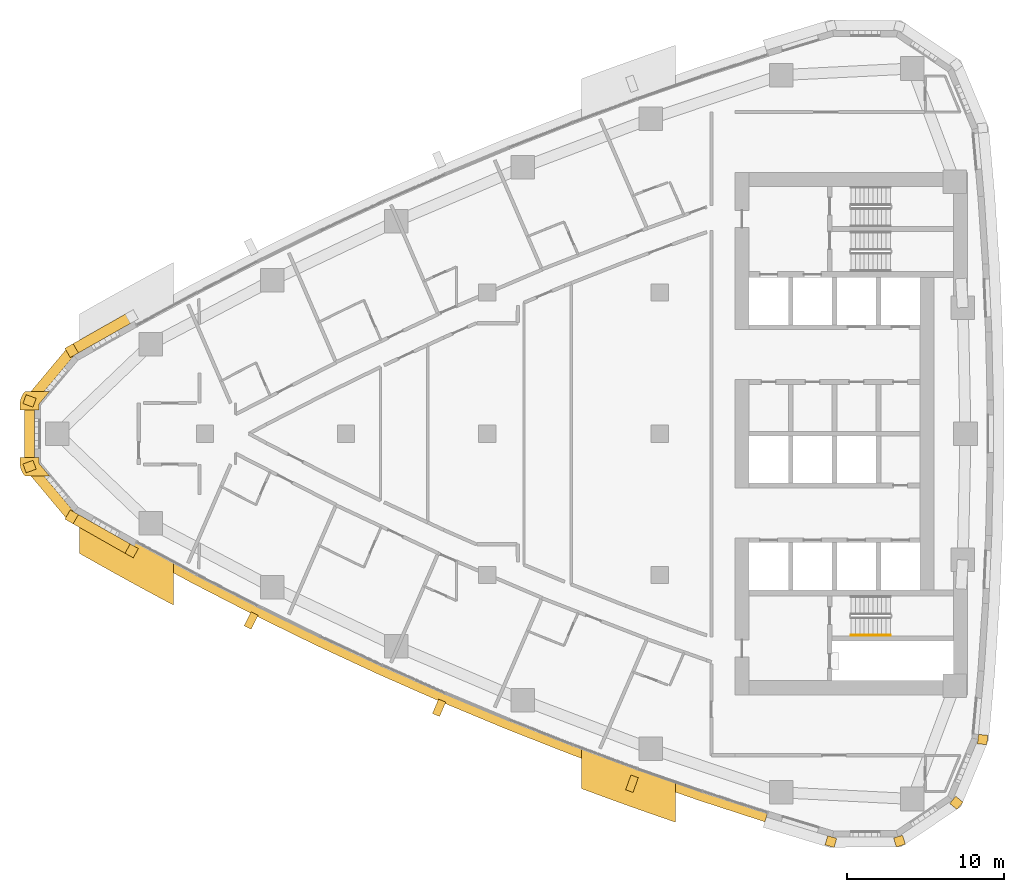
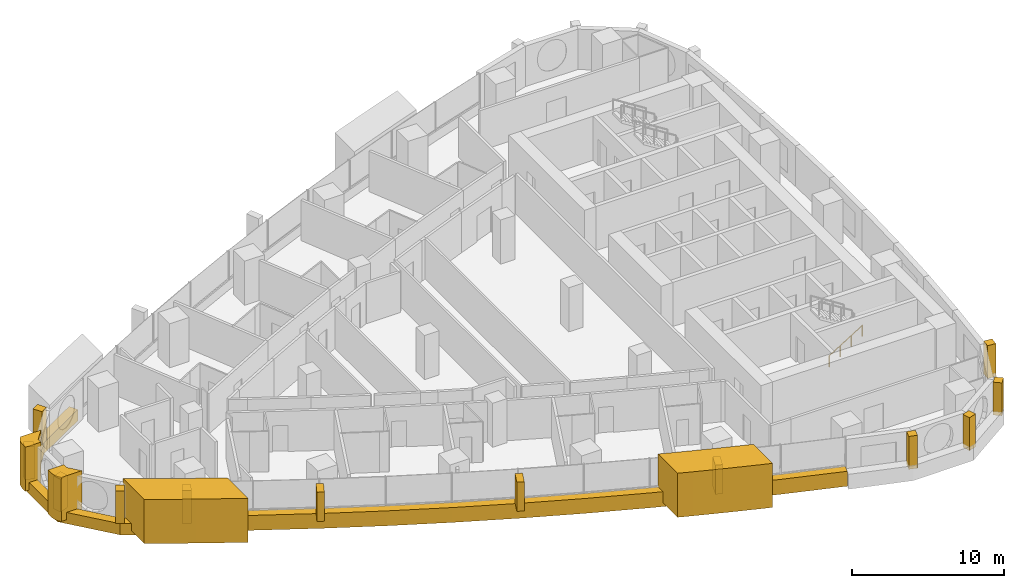
# One storey, part 14 of 17: 18 coverings, 1 railing.
"""IFC4 building model written with IfcOpenShell, lengths in metres."""

from ifc_helpers import new_model, si_unit, direction, frame, frame_2d, origin, origin_2d, place, context, subcontext, project, spatial, polyline, rectangle, circle, outline, extrude, material, layer, layer_set, type_object, element, save


model = new_model("IFC4")

# Units and contexts
model_context = context("Model", 3, precision=1e-05, world=origin(), true_north=direction((0.0, 1.0)))
body_context = subcontext(model_context, "Body", "Model", "MODEL_VIEW")
ifc_project = project(units=[si_unit("LENGTHUNIT", "METRE"), si_unit("AREAUNIT", "SQUARE_METRE"), si_unit("VOLUMEUNIT", "CUBIC_METRE"), si_unit("PLANEANGLEUNIT", "RADIAN"), si_unit("MASSUNIT", "GRAM", prefix="KILO")], contexts=[model_context])

# Site, building, storey
site_placement = place(None, origin())
site = spatial("IfcSite", under=ifc_project, at=site_placement, CompositionType="ELEMENT")
building_placement = place(site_placement, origin())
building = spatial("IfcBuilding", under=site, at=building_placement, Name="Ostrand Prow Hotel Tower", CompositionType="ELEMENT")
storey_placement = place(building_placement, frame((0.0, 0.0, 137.300048828125)))
storey = spatial("IfcBuildingStorey", under=building, at=storey_placement, Name="L33", CompositionType="ELEMENT", Elevation=137.300048828125)

# Coverings
ifc_material_1 = material(Name="Bronze anodised aluminium cladding", Category="aluminium")
ifc_layer_1 = layer(ifc_material_1, 0.60009765625)
ifc_layer_set_1 = layer_set([ifc_layer_1], Name="Bronze anodised aluminium cladding")
covering_type_1 = type_object("IfcCoveringType", Name="Bronze prow band 899x600", PredefinedType="CLADDING", material=ifc_layer_set_1)
covering_1_placement = place(storey_placement, frame((0.0, 0.0, -0.300048828125)))
element("IfcCovering", 1, at=covering_1_placement, inside=storey, type_object=covering_type_1, Name="Bronze prow band", PredefinedType="CLADDING", context=body_context, shape_type="SweptSolid", body=[
    extrude(outline(polyline([(11.16845703125, 7.766845703125), (7.335205078125, 5.594970703125), (4.5009765625, 2.208251953125), (4.5009765625, -2.208251953125), (7.335205078125, -5.594970703125), (11.16845703125, -7.766845703125), (11.497802734375, -7.171875), (7.676513671875, -5.006591796875), (5.14013671875, -1.97607421875), (5.14013671875, 1.97607421875), (7.676513671875, 5.006591796875), (11.497802734375, 7.171875), (11.16845703125, 7.766845703125)])), origin(), (0.0, 0.0, 1.0), 0.89990234375),
])
ifc_material_2 = material(Name="Bronze anodised aluminium cladding", Category="aluminium")
ifc_layer_2 = layer(ifc_material_2, 0.60009765625)
ifc_layer_set_2 = layer_set([ifc_layer_2], Name="Bronze anodised aluminium cladding")
covering_type_2 = type_object("IfcCoveringType", Name="Bronze spandrel band 1200x600", PredefinedType="CLADDING", material=ifc_layer_set_2)
covering_2_placement = place(storey_placement, frame((0.0, 0.0, -0.300048828125)))
element("IfcCovering", 2, at=covering_2_placement, inside=storey, type_object=covering_type_2, Name="Spandrel band S1", PredefinedType="CLADDING", context=body_context, shape_type="SweptSolid", body=[
    extrude(outline(polyline([(11.3466796875, -7.445068359375), (15.21630859375, -9.535888671875), (19.126953125, -11.548828125), (23.077392578125, -13.482666015625), (27.06591796875, -15.336669921875), (31.091064453125, -17.110107421875), (35.15087890625, -18.80224609375), (39.243896484375, -20.41259765625), (43.368408203125, -21.9404296875), (47.522705078125, -23.385009765625), (51.705322265625, -24.74560546875), (51.88525390625, -24.17333984375), (47.714111328125, -22.81640625), (43.571044921875, -21.375732421875), (39.457763671875, -19.85205078125), (35.376220703125, -18.24609375), (31.327392578125, -16.55859375), (27.3134765625, -14.7900390625), (23.335693359375, -12.941162109375), (19.396240234375, -11.0126953125), (15.49609375, -9.00537109375), (11.63720703125, -6.920166015625), (11.3466796875, -7.445068359375)])), origin(), (0.0, 0.0, 1.0), 1.199951171875),
])
ifc_material_3 = material(Name="Limestone cladding", Category="masonry")
ifc_layer_3 = layer(ifc_material_3, 5.0)
ifc_layer_set_3 = layer_set([ifc_layer_3], Name="Limestone cladding")
covering_type_3 = type_object("IfcCoveringType", Name="Portal jamb pilaster limestone", PredefinedType="CLADDING", material=ifc_layer_set_3)
covering_3_placement = place(storey_placement, origin())
element("IfcCovering", 3, at=covering_3_placement, inside=storey, type_object=covering_type_3, Name="Portal jamb SA L33", PredefinedType="CLADDING", context=body_context, shape_type="SweptSolid", body=[
    extrude(outline(polyline([(8.0, -4.861572265625), (8.0, -7.62939453125), (9.0, -8.1962890625), (10.0, -8.75634765625), (11.0, -9.3095703125), (12.0, -9.856201171875), (13.0, -10.39599609375), (14.0, -10.92919921875), (14.0, -8.208740234375), (13.0, -7.66796875), (12.0, -7.12060546875), (11.0, -6.566162109375), (10.0, -6.0048828125), (9.0, -5.436767578125), (8.0, -4.861572265625)])), origin(), (0.0, 0.0, 1.0), 3.550048828125),
])
covering_4_placement = place(storey_placement, origin())
element("IfcCovering", 4, at=covering_4_placement, inside=storey, type_object=covering_type_3, Name="Portal jamb SB L33", PredefinedType="CLADDING", context=body_context, shape_type="SweptSolid", body=[
    extrude(outline(polyline([(40.0, -20.058349609375), (40.0, -22.622802734375), (41.0, -22.994140625), (42.0, -23.360107421875), (43.0, -23.720458984375), (44.0, -24.075439453125), (45.0, -24.425048828125), (46.0, -24.769287109375), (46.0, -22.231689453125), (45.0, -21.883056640625), (44.0, -21.529296875), (43.0, -21.169921875), (42.0, -20.804931640625), (41.0, -20.434326171875), (40.0, -20.058349609375)])), origin(), (0.0, 0.0, 1.0), 3.550048828125),
])
ifc_material_4 = material(Name="Limestone cladding", Category="masonry")
ifc_layer_4 = layer(ifc_material_4, 0.5)
ifc_layer_set_4 = layer_set([ifc_layer_4], Name="Limestone cladding")
covering_type_4 = type_object("IfcCoveringType", Name="Precast stone fin 500x900", PredefinedType="CLADDING", material=ifc_layer_set_4)
covering_5_placement = place(storey_placement, frame((19.171875, -11.45947265625, 0.89990234375), z_axis=(0.0, 0.0, 1.0), x_axis=(-0.448677667264, -0.893693656069, 0.0)))
element("IfcCovering", 5, at=covering_5_placement, inside=storey, type_object=covering_type_4, Name="Stone fin S 3", PredefinedType="CLADDING", context=body_context, shape_type="SweptSolid", body=[
    extrude(rectangle(XDim=1.0, YDim=0.5, at=frame_2d((0.5, 0.0))), origin(), (0.0, 0.0, 1.0), 2.35009765625),
])
covering_6_placement = place(storey_placement, frame((31.13037109375, -17.018310546875, 0.89990234375), z_axis=(0.0, 0.0, 1.0), x_axis=(-0.394096106618, -0.919069235013, 0.0)))
element("IfcCovering", 6, at=covering_6_placement, inside=storey, type_object=covering_type_4, Name="Stone fin S 6", PredefinedType="CLADDING", context=body_context, shape_type="SweptSolid", body=[
    extrude(rectangle(XDim=0.999755859375, YDim=0.5, at=frame_2d((0.5, 0.0))), origin(), (0.0, 0.0, 1.0), 2.35009765625),
])
covering_7_placement = place(storey_placement, frame((43.402099609375, -21.84619140625, 0.89990234375), z_axis=(0.0, 0.0, 1.0), x_axis=(-0.3378203991, -0.941210591713, 0.0)))
element("IfcCovering", 7, at=covering_7_placement, inside=storey, type_object=covering_type_4, Name="Stone fin S 9", PredefinedType="CLADDING", context=body_context, shape_type="SweptSolid", body=[
    extrude(rectangle(XDim=1.000244140625, YDim=0.5, at=frame_2d((0.5, 0.0))), origin(), (0.0, 0.0, 1.0), 2.35009765625),
])
ifc_material_5 = material(Name="Limestone cladding", Category="masonry")
ifc_layer_5 = layer(ifc_material_5, 0.60009765625)
ifc_layer_set_5 = layer_set([ifc_layer_5], Name="Limestone cladding")
covering_type_5 = type_object("IfcCoveringType", Name="Precast stone prow rib 600x600", PredefinedType="CLADDING", material=ifc_layer_set_5)
covering_8_placement = place(storey_placement, frame((7.676513671875, 5.006591796875, 0.599853515625), z_axis=(0.0, 0.0, 1.0), x_axis=(-0.501771803437, 0.865000033107, 0.0)))
element("IfcCovering", 8, at=covering_8_placement, inside=storey, type_object=covering_type_5, Name="Stone prow rib 2", PredefinedType="CLADDING", context=body_context, shape_type="SweptSolid", body=[
    extrude(rectangle(XDim=0.68017578125, YDim=0.60009765625, at=frame_2d((0.340087890625, 0.0))), origin(), (0.0, 0.0, 1.0), 2.650146484375),
])
for number, where, z_axis, x_axis, name in (
    (9, (5.14013671875, 1.97607421875, 0.599853515625), (0.0, 0.0, 1.0), (-0.939908674991, 0.341425954896, 0.0), "Stone prow rib 3"),
    (10, (5.14013671875, -1.97607421875, 0.599853515625), (0.0, 0.0, 1.0), (-0.939908674991, -0.341425954896, 0.0), "Stone prow rib 4"),
):
    element("IfcCovering", number, at=place(storey_placement, frame(where, z_axis=z_axis, x_axis=x_axis)), inside=storey, type_object=covering_type_5, Name=name, PredefinedType="CLADDING", context=body_context, shape_type="SweptSolid", body=[
        extrude(rectangle(XDim=0.679931640625, YDim=0.60009765625, at=frame_2d((0.33984375, 0.0))), origin(), (0.0, 0.0, 1.0), 2.650146484375),
    ])
covering_9_placement = place(storey_placement, frame((7.676513671875, -5.006591796875, 0.599853515625), z_axis=(0.0, 0.0, 1.0), x_axis=(-0.501771803437, -0.865000033107, 0.0)))
element("IfcCovering", 11, at=covering_9_placement, inside=storey, type_object=covering_type_5, Name="Stone prow rib 5", PredefinedType="CLADDING", context=body_context, shape_type="SweptSolid", body=[
    extrude(rectangle(XDim=0.68017578125, YDim=0.60009765625, at=frame_2d((0.340087890625, 0.0))), origin(), (0.0, 0.0, 1.0), 2.650146484375),
])
covering_10_placement = place(storey_placement, frame((11.497802734375, -7.171875, 0.599853515625), z_axis=(0.0, 0.0, 1.0), x_axis=(-0.484301161624, -0.874901357211, 0.0)))
element("IfcCovering", 12, at=covering_10_placement, inside=storey, type_object=covering_type_5, Name="Stone prow rib 6", PredefinedType="CLADDING", context=body_context, shape_type="SweptSolid", body=[
    extrude(rectangle(XDim=0.679931640625, YDim=0.60009765625, at=frame_2d((0.33984375, 0.0))), origin(), (0.0, 0.0, 1.0), 2.650146484375),
])
covering_11_placement = place(storey_placement, frame((56.001953125, -25.722412109375, 0.599853515625), z_axis=(0.0, 0.0, 1.0), x_axis=(-0.280734221166, -0.959785547436, 0.0)))
element("IfcCovering", 13, at=covering_11_placement, inside=storey, type_object=covering_type_5, Name="Stone corner rib 2a", PredefinedType="CLADDING", context=body_context, shape_type="SweptSolid", body=[
    extrude(rectangle(XDim=0.60009765625, YDim=0.60009765625, at=frame_2d((0.300048828125, 0.0))), origin(), (0.0, 0.0, 1.0), 2.650146484375),
])
for number, where, z_axis, x_axis, name in (
    (14, (60.201171875, -25.689697265625, 0.599853515625), (0.0, 0.0, 1.0), (0.295515682615, -0.955337888565, 0.0), "Stone corner rib 3a"),
    (15, (63.68505859375, -23.34521484375, 0.599853515625), (0.0, 0.0, 1.0), (0.773830327772, -0.633392945825, 0.0), "Stone corner rib 4a"),
):
    element("IfcCovering", number, at=place(storey_placement, frame(where, z_axis=z_axis, x_axis=x_axis)), inside=storey, type_object=covering_type_5, Name=name, PredefinedType="CLADDING", context=body_context, shape_type="SweptSolid", body=[
        extrude(rectangle(XDim=0.599853515625, YDim=0.60009765625, at=frame_2d((0.2998046875, 0.0))), origin(), (0.0, 0.0, 1.0), 2.650146484375),
    ])
covering_12_placement = place(storey_placement, frame((65.296875, -19.467529296875, 0.599853515625), z_axis=(0.0, 0.0, 1.0), x_axis=(0.994854249607, -0.101316445052, 0.0)))
element("IfcCovering", 16, at=covering_12_placement, inside=storey, type_object=covering_type_5, Name="Stone corner rib 4b", PredefinedType="CLADDING", context=body_context, shape_type="SweptSolid", body=[
    extrude(rectangle(XDim=0.60009765625, YDim=0.60009765625, at=frame_2d((0.300048828125, 0.0))), origin(), (0.0, 0.0, 1.0), 2.650146484375),
])
ifc_material_6 = material(Name="Limestone cladding", Category="masonry")
ifc_layer_6 = layer(ifc_material_6, 3.0)
ifc_layer_set_6 = layer_set([ifc_layer_6], Name="Limestone cladding")
covering_type_6 = type_object("IfcCoveringType", Name="Prow nose pier limestone", PredefinedType="CLADDING", material=ifc_layer_set_6)
covering_13_placement = place(storey_placement, origin())
element("IfcCovering", 17, at=covering_13_placement, inside=storey, type_object=covering_type_6, Name="Prow spine fin N L33", PredefinedType="CLADDING", context=body_context, shape_type="SweptSolid", body=[
    extrude(outline(polyline([(4.210693359375, 1.877685546875), (4.210693359375, 1.5), (5.41064453125, 1.5), (5.41064453125, 1.877685546875), (6.098876953125, 2.699951171875), (4.533935546875, 2.699951171875), (4.490478515625, 2.64794921875), (4.41845703125, 2.552490234375), (4.356201171875, 2.45068359375), (4.304443359375, 2.343017578125), (4.263916015625, 2.230712890625), (4.234375, 2.114990234375), (4.216552734375, 1.9970703125), (4.210693359375, 1.877685546875)])), origin(), (0.0, 0.0, 1.0), 3.550048828125),
])
covering_14_placement = place(storey_placement, origin())
element("IfcCovering", 18, at=covering_14_placement, inside=storey, type_object=covering_type_6, Name="Prow spine fin S L33", PredefinedType="CLADDING", context=body_context, shape_type="SweptSolid", body=[
    extrude(outline(polyline([(4.490478515625, -2.64794921875), (4.533935546875, -2.699951171875), (6.098876953125, -2.699951171875), (5.41064453125, -1.877685546875), (5.41064453125, -1.5), (4.210693359375, -1.5), (4.210693359375, -1.877685546875), (4.216552734375, -1.9970703125), (4.234375, -2.114990234375), (4.263916015625, -2.230712890625), (4.304443359375, -2.343017578125), (4.356201171875, -2.45068359375), (4.41845703125, -2.552490234375), (4.490478515625, -2.64794921875)])), origin(), (0.0, 0.0, 1.0), 3.550048828125),
])

# Railing
ifc_material_7 = material(Name="Stainless steel", Category="steel")
railing_type = type_object("IfcRailingType", Name="Stair handrail 900", PredefinedType="HANDRAIL", material=ifc_material_7)
railing_placement = place(storey_placement, frame((57.199951171875, -12.85009765625, 0.177490234375)))
element("IfcRailing", 19, at=railing_placement, inside=storey, type_object=railing_type, Name="L33 ST2C stair handrail 1", PredefinedType="HANDRAIL", context=body_context, shape_type="SweptSolid", body=[
    extrude(circle(Radius=0.02392578125, at=origin_2d()), frame((0.0, 0.0, 0.8759765625), z_axis=(0.84460694969, 0.0, 0.535386869969), x_axis=(0.0, 1.0, 0.0)), (0.0, 0.0, 1.0), 2.983642578125),
    extrude(circle(Radius=0.02099609375, at=origin_2d()), origin(), (0.0, 0.0, 1.0), 0.851806640625),
    extrude(circle(Radius=0.02099609375, at=origin_2d()), frame((0.840087890625, 0.0, 0.532470703125)), (0.0, 0.0, 1.0), 0.851806640625),
    extrude(circle(Radius=0.02099609375, at=origin_2d()), frame((1.679931640625, 0.0, 1.06494140625)), (0.0, 0.0, 1.0), 0.851806640625),
    extrude(circle(Radius=0.02099609375, at=origin_2d()), frame((2.52001953125, 0.0, 1.597412109375)), (0.0, 0.0, 1.0), 0.851806640625),
])

save(model, "model.ifc")
